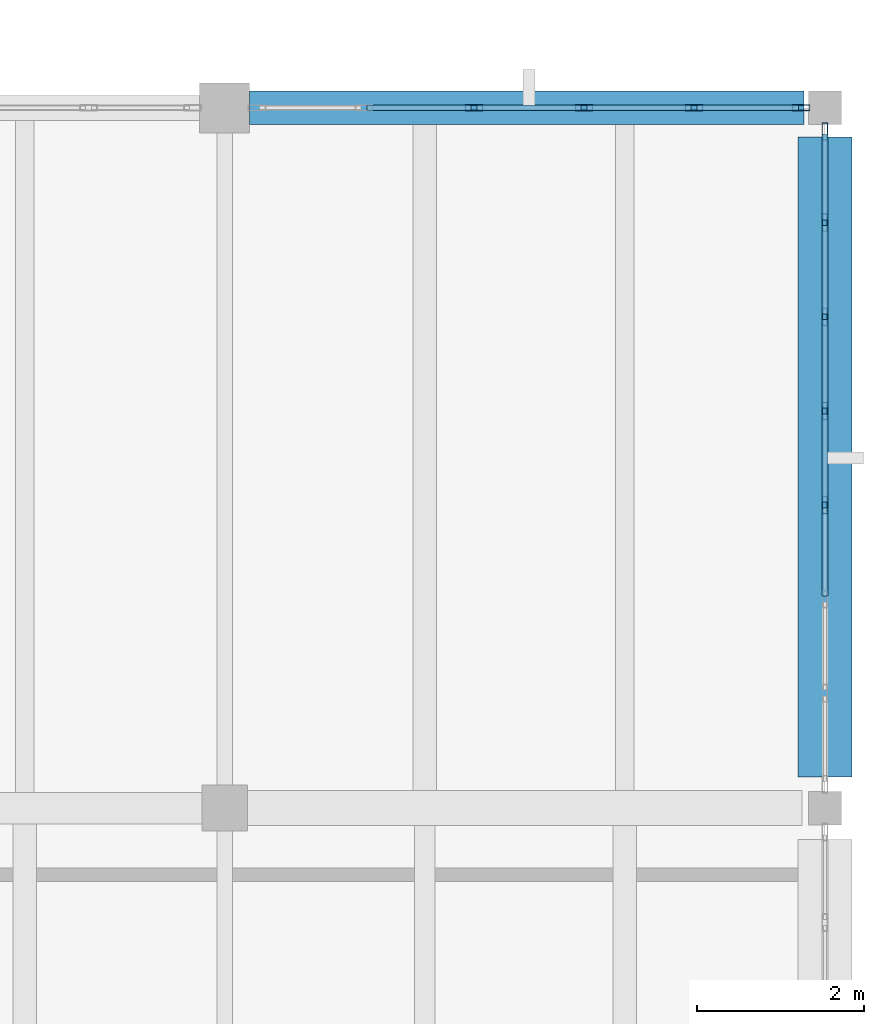
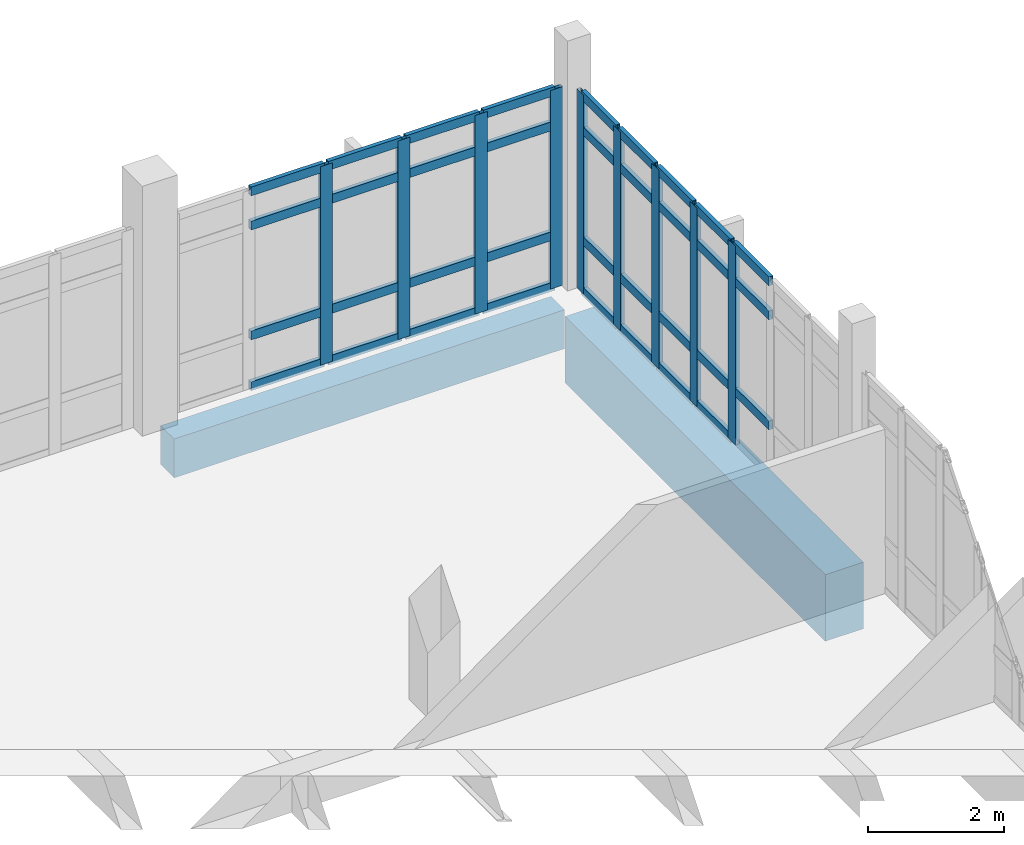
# One storey, part 39 of 57: 44 members, 2 beams, 2 elements without a shape of their own.
"""IFC4 building model written with IfcOpenShell, lengths in metres."""

from ifc_helpers import new_model, si_unit, direction, frame, origin, origin_2d, place, context, subcontext, project, spatial, rectangle, hollow_rectangle, extrude, material, material_profile, profile_set, type_object, element, aggregate, save


model = new_model("IFC4")

# Units and contexts
model_context = context("Model", 3, precision=1e-05, world=origin(), true_north=direction((0.0, 1.0)))
body_context = subcontext(model_context, "Body", "Model", "MODEL_VIEW")
ifc_project = project(units=[si_unit("LENGTHUNIT", "METRE"), si_unit("AREAUNIT", "SQUARE_METRE"), si_unit("VOLUMEUNIT", "CUBIC_METRE"), si_unit("PLANEANGLEUNIT", "RADIAN"), si_unit("MASSUNIT", "GRAM", prefix="KILO")], contexts=[model_context])

# Site, building, storey
site_placement = place(None, origin())
site = spatial("IfcSite", under=ifc_project, at=site_placement, CompositionType="ELEMENT")
building_placement = place(site_placement, origin())
building = spatial("IfcBuilding", under=site, at=building_placement, Name="Kalluvel Institute of Natural Sciences", CompositionType="ELEMENT")
storey_placement = place(building_placement, frame((0.0, 0.0, 23.39990234375)))
storey = spatial("IfcBuildingStorey", under=building, at=storey_placement, Name="L05", CompositionType="ELEMENT", Elevation=23.39990234375)

# Beam
ifc_material_1 = material(Name="Concrete M50", Category="concrete")
ifc_material_profile_1 = material_profile(ifc_material_1, rectangle(XDim=0.64990234375, YDim=1.199951171875, at=origin_2d()), Name="RCB 650x1200")
ifc_profile_set_1 = profile_set([ifc_material_profile_1], Name="Concrete M50")
beam_type_1 = type_object("IfcBeamType", Name="BM-RC650x1200", PredefinedType="BEAM", material=ifc_profile_set_1)
beam_1_placement = place(storey_placement, frame((114.800048828125, 119.97509765625, -0.919921875), z_axis=(0.0, 1.0, 0.0), x_axis=(-1.0, 0.0, 0.0)))
element("IfcBeam", 1, at=beam_1_placement, inside=storey, type_object=beam_type_1, Name="L05 girder GIR-L05-NS-X1148-Y1196", PredefinedType="BEAM", context=body_context, shape_type="SweptSolid", body=[
    extrude(rectangle(XDim=0.64990234375, YDim=1.199951171875, at=origin_2d()), origin(), (0.0, 0.0, 1.0), 7.6748046875),
])

# Curtain wall, members
ifc_material_2 = material(Name="Aluminium AW-6063 T6", Category="aluminium")
curtain_wall_type = type_object("IfcCurtainWallType", Name="CW-WET-45", PredefinedType="USERDEFINED", material=ifc_material_2)
curtain_wall_1_placement = place(storey_placement, origin())
curtain_wall_1 = element("IfcCurtainWall", 2, at=curtain_wall_1_placement, inside=storey, type_object=curtain_wall_type, Name="L05 Gothic lancet curtain wall CWA-L05-X1080-Y1280", ObjectType="UNITISED LANCET FACADE", PredefinedType="USERDEFINED")
ifc_material_profile_2 = material_profile(ifc_material_2, hollow_rectangle(XDim=0.070068359375, YDim=0.2099609375, WallThickness=0.0048828125, at=origin_2d()), Name="CWM 70x210")
ifc_profile_set_2 = profile_set([ifc_material_profile_2], Name="Aluminium AW-6063 T6")
member_type_1 = type_object("IfcMemberType", Name="CWM-70x210", PredefinedType="MULLION", material=ifc_profile_set_2)
member_1_placement = place(storey_placement, frame((110.590087890625, 128.0, 0.0), z_axis=(0.0, 0.0, 1.0), x_axis=(0.0, 1.0, 0.0)))
member_1 = element("IfcMember", 3, at=member_1_placement, type_object=member_type_1, Name="CW-01 mullion 3", PredefinedType="MULLION", context=body_context, shape_type="SweptSolid", body=[
    extrude(hollow_rectangle(XDim=0.070068359375, YDim=0.2099609375, WallThickness=0.0048828125, at=origin_2d()), origin(), (0.0, 0.0, 1.0), 3.580078125),
])
member_2_placement = place(storey_placement, frame((111.909912109375, 128.0, 0.0), z_axis=(0.0, 0.0, 1.0), x_axis=(0.0, 1.0, 0.0)))
member_2 = element("IfcMember", 4, at=member_2_placement, type_object=member_type_1, Name="CW-01 mullion 4", PredefinedType="MULLION", context=body_context, shape_type="SweptSolid", body=[
    extrude(hollow_rectangle(XDim=0.070068359375, YDim=0.2099609375, WallThickness=0.0048828125, at=origin_2d()), origin(), (0.0, 0.0, 1.0), 3.580078125),
])
member_3_placement = place(storey_placement, frame((113.22998046875, 128.0, 0.0), z_axis=(0.0, 0.0, 1.0), x_axis=(0.0, 1.0, 0.0)))
member_3 = element("IfcMember", 5, at=member_3_placement, type_object=member_type_1, Name="CW-01 mullion 5", PredefinedType="MULLION", context=body_context, shape_type="SweptSolid", body=[
    extrude(hollow_rectangle(XDim=0.070068359375, YDim=0.2099609375, WallThickness=0.0048828125, at=origin_2d()), origin(), (0.0, 0.0, 1.0), 3.580078125),
])
member_4_placement = place(storey_placement, frame((114.514892578125, 128.0, 0.0), z_axis=(0.0, 0.0, 1.0), x_axis=(0.0, 1.0, 0.0)))
member_4 = element("IfcMember", 6, at=member_4_placement, type_object=member_type_1, Name="CW-01 mullion 6", PredefinedType="MULLION", context=body_context, shape_type="SweptSolid", body=[
    extrude(hollow_rectangle(XDim=0.070068359375, YDim=0.2099609375, WallThickness=0.0048828125, at=origin_2d()), origin(), (0.0, 0.0, 1.0), 3.580078125),
])

curtain_wall_2_placement = place(storey_placement, origin())
curtain_wall_2 = element("IfcCurtainWall", 7, at=curtain_wall_2_placement, inside=storey, type_object=curtain_wall_type, Name="L05 Gothic lancet curtain wall CWA-L05-X1148-Y1198", ObjectType="UNITISED LANCET FACADE", PredefinedType="USERDEFINED")
member_5_placement = place(storey_placement, frame((114.800048828125, 123.235595703125, 0.0), z_axis=(0.0, 0.0, 1.0), x_axis=(-1.0, 0.0, 0.0)))
member_5 = element("IfcMember", 8, at=member_5_placement, type_object=member_type_1, Name="CW-01 mullion 4", PredefinedType="MULLION", context=body_context, shape_type="SweptSolid", body=[
    extrude(hollow_rectangle(XDim=0.070068359375, YDim=0.2099609375, WallThickness=0.0048828125, at=origin_2d()), origin(), (0.0, 0.0, 1.0), 3.580078125),
])
member_6_placement = place(storey_placement, frame((114.800048828125, 124.3642578125, 0.0), z_axis=(0.0, 0.0, 1.0), x_axis=(-1.0, 0.0, 0.0)))
member_6 = element("IfcMember", 9, at=member_6_placement, type_object=member_type_1, Name="CW-01 mullion 5", PredefinedType="MULLION", context=body_context, shape_type="SweptSolid", body=[
    extrude(hollow_rectangle(XDim=0.070068359375, YDim=0.2099609375, WallThickness=0.0048828125, at=origin_2d()), origin(), (0.0, 0.0, 1.0), 3.580078125),
])
member_7_placement = place(storey_placement, frame((114.800048828125, 125.492919921875, 0.0), z_axis=(0.0, 0.0, 1.0), x_axis=(-1.0, 0.0, 0.0)))
member_7 = element("IfcMember", 10, at=member_7_placement, type_object=member_type_1, Name="CW-01 mullion 6", PredefinedType="MULLION", context=body_context, shape_type="SweptSolid", body=[
    extrude(hollow_rectangle(XDim=0.070068359375, YDim=0.2099609375, WallThickness=0.0048828125, at=origin_2d()), origin(), (0.0, 0.0, 1.0), 3.580078125),
])
member_8_placement = place(storey_placement, frame((114.800048828125, 126.621337890625, 0.0), z_axis=(0.0, 0.0, 1.0), x_axis=(-1.0, 0.0, 0.0)))
member_8 = element("IfcMember", 11, at=member_8_placement, type_object=member_type_1, Name="CW-01 mullion 7", PredefinedType="MULLION", context=body_context, shape_type="SweptSolid", body=[
    extrude(hollow_rectangle(XDim=0.070068359375, YDim=0.2099609375, WallThickness=0.0048828125, at=origin_2d()), origin(), (0.0, 0.0, 1.0), 3.580078125),
])
member_9_placement = place(storey_placement, frame((114.800048828125, 127.715087890625, 0.0), z_axis=(0.0, 0.0, 1.0), x_axis=(-1.0, 0.0, 0.0)))
member_9 = element("IfcMember", 12, at=member_9_placement, type_object=member_type_1, Name="CW-01 mullion 8", PredefinedType="MULLION", context=body_context, shape_type="SweptSolid", body=[
    extrude(hollow_rectangle(XDim=0.070068359375, YDim=0.2099609375, WallThickness=0.0048828125, at=origin_2d()), origin(), (0.0, 0.0, 1.0), 3.580078125),
])

# Member
ifc_material_profile_3 = material_profile(ifc_material_2, hollow_rectangle(XDim=0.070068359375, YDim=0.159912109375, WallThickness=0.0048828125, at=origin_2d()), Name="CWT 70x160")
ifc_profile_set_3 = profile_set([ifc_material_profile_3], Name="Aluminium AW-6063 T6")
member_type_2 = type_object("IfcMemberType", Name="CWT-70x160", PredefinedType="USERDEFINED", material=ifc_profile_set_3)
member_10_placement = place(storey_placement, frame((109.304931640625, 128.0, 0.03515625), z_axis=(1.0, 0.0, 0.0), x_axis=(0.0, 1.0, 0.0)))
member_10 = element("IfcMember", 13, at=member_10_placement, type_object=member_type_2, Name="CW-01 transom 2.1", ObjectType="TRANSOM", PredefinedType="USERDEFINED", context=body_context, shape_type="SweptSolid", body=[
    extrude(hollow_rectangle(XDim=0.070068359375, YDim=0.159912109375, WallThickness=0.0048828125, at=origin_2d()), origin(), (0.0, 0.0, 1.0), 1.25),
])

member_11_placement = place(storey_placement, frame((109.304931640625, 128.0, 0.9501953125), z_axis=(1.0, 0.0, 0.0), x_axis=(0.0, 1.0, 0.0)))
member_11 = element("IfcMember", 14, at=member_11_placement, type_object=member_type_2, Name="CW-01 transom 2.2", ObjectType="TRANSOM", PredefinedType="USERDEFINED", context=body_context, shape_type="SweptSolid", body=[
    extrude(hollow_rectangle(XDim=0.070068359375, YDim=0.159912109375, WallThickness=0.0048828125, at=origin_2d()), origin(), (0.0, 0.0, 1.0), 1.25),
])

member_12_placement = place(storey_placement, frame((109.304931640625, 128.0, 2.93017578125), z_axis=(1.0, 0.0, 0.0), x_axis=(0.0, 1.0, 0.0)))
member_12 = element("IfcMember", 15, at=member_12_placement, type_object=member_type_2, Name="CW-01 transom 2.3", ObjectType="TRANSOM", PredefinedType="USERDEFINED", context=body_context, shape_type="SweptSolid", body=[
    extrude(hollow_rectangle(XDim=0.070068359375, YDim=0.159912109375, WallThickness=0.0048828125, at=origin_2d()), origin(), (0.0, 0.0, 1.0), 1.25),
])

member_13_placement = place(storey_placement, frame((109.304931640625, 128.0, 3.545166015625), z_axis=(1.0, 0.0, 0.0), x_axis=(0.0, 1.0, 0.0)))
member_13 = element("IfcMember", 16, at=member_13_placement, type_object=member_type_2, Name="CW-01 transom 2.4", ObjectType="TRANSOM", PredefinedType="USERDEFINED", context=body_context, shape_type="SweptSolid", body=[
    extrude(hollow_rectangle(XDim=0.070068359375, YDim=0.159912109375, WallThickness=0.0048828125, at=origin_2d()), origin(), (0.0, 0.0, 1.0), 1.25),
])

member_14_placement = place(storey_placement, frame((110.625, 128.0, 0.03515625), z_axis=(1.0, 0.0, 0.0), x_axis=(0.0, 1.0, 0.0)))
member_14 = element("IfcMember", 17, at=member_14_placement, type_object=member_type_2, Name="CW-01 transom 3.1", ObjectType="TRANSOM", PredefinedType="USERDEFINED", context=body_context, shape_type="SweptSolid", body=[
    extrude(hollow_rectangle(XDim=0.070068359375, YDim=0.159912109375, WallThickness=0.0048828125, at=origin_2d()), origin(), (0.0, 0.0, 1.0), 1.25),
])

member_15_placement = place(storey_placement, frame((110.625, 128.0, 0.9501953125), z_axis=(1.0, 0.0, 0.0), x_axis=(0.0, 1.0, 0.0)))
member_15 = element("IfcMember", 18, at=member_15_placement, type_object=member_type_2, Name="CW-01 transom 3.2", ObjectType="TRANSOM", PredefinedType="USERDEFINED", context=body_context, shape_type="SweptSolid", body=[
    extrude(hollow_rectangle(XDim=0.070068359375, YDim=0.159912109375, WallThickness=0.0048828125, at=origin_2d()), origin(), (0.0, 0.0, 1.0), 1.25),
])

member_16_placement = place(storey_placement, frame((110.625, 128.0, 2.93017578125), z_axis=(1.0, 0.0, 0.0), x_axis=(0.0, 1.0, 0.0)))
member_16 = element("IfcMember", 19, at=member_16_placement, type_object=member_type_2, Name="CW-01 transom 3.3", ObjectType="TRANSOM", PredefinedType="USERDEFINED", context=body_context, shape_type="SweptSolid", body=[
    extrude(hollow_rectangle(XDim=0.070068359375, YDim=0.159912109375, WallThickness=0.0048828125, at=origin_2d()), origin(), (0.0, 0.0, 1.0), 1.25),
])

member_17_placement = place(storey_placement, frame((110.625, 128.0, 3.545166015625), z_axis=(1.0, 0.0, 0.0), x_axis=(0.0, 1.0, 0.0)))
member_17 = element("IfcMember", 20, at=member_17_placement, type_object=member_type_2, Name="CW-01 transom 3.4", ObjectType="TRANSOM", PredefinedType="USERDEFINED", context=body_context, shape_type="SweptSolid", body=[
    extrude(hollow_rectangle(XDim=0.070068359375, YDim=0.159912109375, WallThickness=0.0048828125, at=origin_2d()), origin(), (0.0, 0.0, 1.0), 1.25),
])

member_18_placement = place(storey_placement, frame((111.945068359375, 128.0, 0.03515625), z_axis=(1.0, 0.0, 0.0), x_axis=(0.0, 1.0, 0.0)))
member_18 = element("IfcMember", 21, at=member_18_placement, type_object=member_type_2, Name="CW-01 transom 4.1", ObjectType="TRANSOM", PredefinedType="USERDEFINED", context=body_context, shape_type="SweptSolid", body=[
    extrude(hollow_rectangle(XDim=0.070068359375, YDim=0.159912109375, WallThickness=0.0048828125, at=origin_2d()), origin(), (0.0, 0.0, 1.0), 1.25),
])

member_19_placement = place(storey_placement, frame((111.945068359375, 128.0, 0.9501953125), z_axis=(1.0, 0.0, 0.0), x_axis=(0.0, 1.0, 0.0)))
member_19 = element("IfcMember", 22, at=member_19_placement, type_object=member_type_2, Name="CW-01 transom 4.2", ObjectType="TRANSOM", PredefinedType="USERDEFINED", context=body_context, shape_type="SweptSolid", body=[
    extrude(hollow_rectangle(XDim=0.070068359375, YDim=0.159912109375, WallThickness=0.0048828125, at=origin_2d()), origin(), (0.0, 0.0, 1.0), 1.25),
])

member_20_placement = place(storey_placement, frame((111.945068359375, 128.0, 2.93017578125), z_axis=(1.0, 0.0, 0.0), x_axis=(0.0, 1.0, 0.0)))
member_20 = element("IfcMember", 23, at=member_20_placement, type_object=member_type_2, Name="CW-01 transom 4.3", ObjectType="TRANSOM", PredefinedType="USERDEFINED", context=body_context, shape_type="SweptSolid", body=[
    extrude(hollow_rectangle(XDim=0.070068359375, YDim=0.159912109375, WallThickness=0.0048828125, at=origin_2d()), origin(), (0.0, 0.0, 1.0), 1.25),
])

member_21_placement = place(storey_placement, frame((111.945068359375, 128.0, 3.545166015625), z_axis=(1.0, 0.0, 0.0), x_axis=(0.0, 1.0, 0.0)))
member_21 = element("IfcMember", 24, at=member_21_placement, type_object=member_type_2, Name="CW-01 transom 4.4", ObjectType="TRANSOM", PredefinedType="USERDEFINED", context=body_context, shape_type="SweptSolid", body=[
    extrude(hollow_rectangle(XDim=0.070068359375, YDim=0.159912109375, WallThickness=0.0048828125, at=origin_2d()), origin(), (0.0, 0.0, 1.0), 1.25),
])

member_22_placement = place(storey_placement, frame((113.264892578125, 128.0, 0.03515625), z_axis=(1.0, 0.0, 0.0), x_axis=(0.0, 1.0, 0.0)))
member_22 = element("IfcMember", 25, at=member_22_placement, type_object=member_type_2, Name="CW-01 transom 5.1", ObjectType="TRANSOM", PredefinedType="USERDEFINED", context=body_context, shape_type="SweptSolid", body=[
    extrude(hollow_rectangle(XDim=0.070068359375, YDim=0.159912109375, WallThickness=0.0048828125, at=origin_2d()), origin(), (0.0, 0.0, 1.0), 1.215087890625),
])

member_23_placement = place(storey_placement, frame((113.264892578125, 128.0, 0.9501953125), z_axis=(1.0, 0.0, 0.0), x_axis=(0.0, 1.0, 0.0)))
member_23 = element("IfcMember", 26, at=member_23_placement, type_object=member_type_2, Name="CW-01 transom 5.2", ObjectType="TRANSOM", PredefinedType="USERDEFINED", context=body_context, shape_type="SweptSolid", body=[
    extrude(hollow_rectangle(XDim=0.070068359375, YDim=0.159912109375, WallThickness=0.0048828125, at=origin_2d()), origin(), (0.0, 0.0, 1.0), 1.215087890625),
])

member_24_placement = place(storey_placement, frame((113.264892578125, 128.0, 2.93017578125), z_axis=(1.0, 0.0, 0.0), x_axis=(0.0, 1.0, 0.0)))
member_24 = element("IfcMember", 27, at=member_24_placement, type_object=member_type_2, Name="CW-01 transom 5.3", ObjectType="TRANSOM", PredefinedType="USERDEFINED", context=body_context, shape_type="SweptSolid", body=[
    extrude(hollow_rectangle(XDim=0.070068359375, YDim=0.159912109375, WallThickness=0.0048828125, at=origin_2d()), origin(), (0.0, 0.0, 1.0), 1.215087890625),
])

member_25_placement = place(storey_placement, frame((113.264892578125, 128.0, 3.545166015625), z_axis=(1.0, 0.0, 0.0), x_axis=(0.0, 1.0, 0.0)))
member_25 = element("IfcMember", 28, at=member_25_placement, type_object=member_type_2, Name="CW-01 transom 5.4", ObjectType="TRANSOM", PredefinedType="USERDEFINED", context=body_context, shape_type="SweptSolid", body=[
    extrude(hollow_rectangle(XDim=0.070068359375, YDim=0.159912109375, WallThickness=0.0048828125, at=origin_2d()), origin(), (0.0, 0.0, 1.0), 1.215087890625),
])

aggregate(curtain_wall_1, [member_1, member_2, member_3, member_4, member_10, member_11, member_12, member_13, member_14, member_15, member_16, member_17, member_18, member_19, member_20, member_21, member_22, member_23, member_24, member_25])

member_26_placement = place(storey_placement, frame((114.800048828125, 122.14208984375, 0.9501953125), z_axis=(0.0, 1.0, 0.0), x_axis=(-1.0, 0.0, 0.0)))
member_26 = element("IfcMember", 29, at=member_26_placement, type_object=member_type_2, Name="CW-01 transom 3.2", ObjectType="TRANSOM", PredefinedType="USERDEFINED", context=body_context, shape_type="SweptSolid", body=[
    extrude(hollow_rectangle(XDim=0.070068359375, YDim=0.159912109375, WallThickness=0.0048828125, at=origin_2d()), origin(), (0.0, 0.0, 1.0), 1.05859375),
])

member_27_placement = place(storey_placement, frame((114.800048828125, 122.14208984375, 2.93017578125), z_axis=(0.0, 1.0, 0.0), x_axis=(-1.0, 0.0, 0.0)))
member_27 = element("IfcMember", 30, at=member_27_placement, type_object=member_type_2, Name="CW-01 transom 3.3", ObjectType="TRANSOM", PredefinedType="USERDEFINED", context=body_context, shape_type="SweptSolid", body=[
    extrude(hollow_rectangle(XDim=0.070068359375, YDim=0.159912109375, WallThickness=0.0048828125, at=origin_2d()), origin(), (0.0, 0.0, 1.0), 1.05859375),
])

member_28_placement = place(storey_placement, frame((114.800048828125, 122.14208984375, 3.545166015625), z_axis=(0.0, 1.0, 0.0), x_axis=(-1.0, 0.0, 0.0)))
member_28 = element("IfcMember", 31, at=member_28_placement, type_object=member_type_2, Name="CW-01 transom 3.4", ObjectType="TRANSOM", PredefinedType="USERDEFINED", context=body_context, shape_type="SweptSolid", body=[
    extrude(hollow_rectangle(XDim=0.070068359375, YDim=0.159912109375, WallThickness=0.0048828125, at=origin_2d()), origin(), (0.0, 0.0, 1.0), 1.05859375),
])

member_29_placement = place(storey_placement, frame((114.800048828125, 123.270751953125, 0.03515625), z_axis=(0.0, 1.0, 0.0), x_axis=(-1.0, 0.0, 0.0)))
member_29 = element("IfcMember", 32, at=member_29_placement, type_object=member_type_2, Name="CW-01 transom 4.1", ObjectType="TRANSOM", PredefinedType="USERDEFINED", context=body_context, shape_type="SweptSolid", body=[
    extrude(hollow_rectangle(XDim=0.070068359375, YDim=0.159912109375, WallThickness=0.0048828125, at=origin_2d()), origin(), (0.0, 0.0, 1.0), 1.05859375),
])

member_30_placement = place(storey_placement, frame((114.800048828125, 123.270751953125, 0.9501953125), z_axis=(0.0, 1.0, 0.0), x_axis=(-1.0, 0.0, 0.0)))
member_30 = element("IfcMember", 33, at=member_30_placement, type_object=member_type_2, Name="CW-01 transom 4.2", ObjectType="TRANSOM", PredefinedType="USERDEFINED", context=body_context, shape_type="SweptSolid", body=[
    extrude(hollow_rectangle(XDim=0.070068359375, YDim=0.159912109375, WallThickness=0.0048828125, at=origin_2d()), origin(), (0.0, 0.0, 1.0), 1.05859375),
])

member_31_placement = place(storey_placement, frame((114.800048828125, 123.270751953125, 2.93017578125), z_axis=(0.0, 1.0, 0.0), x_axis=(-1.0, 0.0, 0.0)))
member_31 = element("IfcMember", 34, at=member_31_placement, type_object=member_type_2, Name="CW-01 transom 4.3", ObjectType="TRANSOM", PredefinedType="USERDEFINED", context=body_context, shape_type="SweptSolid", body=[
    extrude(hollow_rectangle(XDim=0.070068359375, YDim=0.159912109375, WallThickness=0.0048828125, at=origin_2d()), origin(), (0.0, 0.0, 1.0), 1.05859375),
])

member_32_placement = place(storey_placement, frame((114.800048828125, 123.270751953125, 3.545166015625), z_axis=(0.0, 1.0, 0.0), x_axis=(-1.0, 0.0, 0.0)))
member_32 = element("IfcMember", 35, at=member_32_placement, type_object=member_type_2, Name="CW-01 transom 4.4", ObjectType="TRANSOM", PredefinedType="USERDEFINED", context=body_context, shape_type="SweptSolid", body=[
    extrude(hollow_rectangle(XDim=0.070068359375, YDim=0.159912109375, WallThickness=0.0048828125, at=origin_2d()), origin(), (0.0, 0.0, 1.0), 1.05859375),
])

member_33_placement = place(storey_placement, frame((114.800048828125, 124.399169921875, 0.03515625), z_axis=(0.0, 1.0, 0.0), x_axis=(-1.0, 0.0, 0.0)))
member_33 = element("IfcMember", 36, at=member_33_placement, type_object=member_type_2, Name="CW-01 transom 5.1", ObjectType="TRANSOM", PredefinedType="USERDEFINED", context=body_context, shape_type="SweptSolid", body=[
    extrude(hollow_rectangle(XDim=0.070068359375, YDim=0.159912109375, WallThickness=0.0048828125, at=origin_2d()), origin(), (0.0, 0.0, 1.0), 1.05859375),
])

member_34_placement = place(storey_placement, frame((114.800048828125, 124.399169921875, 0.9501953125), z_axis=(0.0, 1.0, 0.0), x_axis=(-1.0, 0.0, 0.0)))
member_34 = element("IfcMember", 37, at=member_34_placement, type_object=member_type_2, Name="CW-01 transom 5.2", ObjectType="TRANSOM", PredefinedType="USERDEFINED", context=body_context, shape_type="SweptSolid", body=[
    extrude(hollow_rectangle(XDim=0.070068359375, YDim=0.159912109375, WallThickness=0.0048828125, at=origin_2d()), origin(), (0.0, 0.0, 1.0), 1.05859375),
])

member_35_placement = place(storey_placement, frame((114.800048828125, 124.399169921875, 2.93017578125), z_axis=(0.0, 1.0, 0.0), x_axis=(-1.0, 0.0, 0.0)))
member_35 = element("IfcMember", 38, at=member_35_placement, type_object=member_type_2, Name="CW-01 transom 5.3", ObjectType="TRANSOM", PredefinedType="USERDEFINED", context=body_context, shape_type="SweptSolid", body=[
    extrude(hollow_rectangle(XDim=0.070068359375, YDim=0.159912109375, WallThickness=0.0048828125, at=origin_2d()), origin(), (0.0, 0.0, 1.0), 1.05859375),
])

member_36_placement = place(storey_placement, frame((114.800048828125, 124.399169921875, 3.545166015625), z_axis=(0.0, 1.0, 0.0), x_axis=(-1.0, 0.0, 0.0)))
member_36 = element("IfcMember", 39, at=member_36_placement, type_object=member_type_2, Name="CW-01 transom 5.4", ObjectType="TRANSOM", PredefinedType="USERDEFINED", context=body_context, shape_type="SweptSolid", body=[
    extrude(hollow_rectangle(XDim=0.070068359375, YDim=0.159912109375, WallThickness=0.0048828125, at=origin_2d()), origin(), (0.0, 0.0, 1.0), 1.05859375),
])

member_37_placement = place(storey_placement, frame((114.800048828125, 125.52783203125, 0.03515625), z_axis=(0.0, 1.0, 0.0), x_axis=(-1.0, 0.0, 0.0)))
member_37 = element("IfcMember", 40, at=member_37_placement, type_object=member_type_2, Name="CW-01 transom 6.1", ObjectType="TRANSOM", PredefinedType="USERDEFINED", context=body_context, shape_type="SweptSolid", body=[
    extrude(hollow_rectangle(XDim=0.070068359375, YDim=0.159912109375, WallThickness=0.0048828125, at=origin_2d()), origin(), (0.0, 0.0, 1.0), 1.05859375),
])

member_38_placement = place(storey_placement, frame((114.800048828125, 125.52783203125, 0.9501953125), z_axis=(0.0, 1.0, 0.0), x_axis=(-1.0, 0.0, 0.0)))
member_38 = element("IfcMember", 41, at=member_38_placement, type_object=member_type_2, Name="CW-01 transom 6.2", ObjectType="TRANSOM", PredefinedType="USERDEFINED", context=body_context, shape_type="SweptSolid", body=[
    extrude(hollow_rectangle(XDim=0.070068359375, YDim=0.159912109375, WallThickness=0.0048828125, at=origin_2d()), origin(), (0.0, 0.0, 1.0), 1.05859375),
])

member_39_placement = place(storey_placement, frame((114.800048828125, 125.52783203125, 2.93017578125), z_axis=(0.0, 1.0, 0.0), x_axis=(-1.0, 0.0, 0.0)))
member_39 = element("IfcMember", 42, at=member_39_placement, type_object=member_type_2, Name="CW-01 transom 6.3", ObjectType="TRANSOM", PredefinedType="USERDEFINED", context=body_context, shape_type="SweptSolid", body=[
    extrude(hollow_rectangle(XDim=0.070068359375, YDim=0.159912109375, WallThickness=0.0048828125, at=origin_2d()), origin(), (0.0, 0.0, 1.0), 1.05859375),
])

member_40_placement = place(storey_placement, frame((114.800048828125, 125.52783203125, 3.545166015625), z_axis=(0.0, 1.0, 0.0), x_axis=(-1.0, 0.0, 0.0)))
member_40 = element("IfcMember", 43, at=member_40_placement, type_object=member_type_2, Name="CW-01 transom 6.4", ObjectType="TRANSOM", PredefinedType="USERDEFINED", context=body_context, shape_type="SweptSolid", body=[
    extrude(hollow_rectangle(XDim=0.070068359375, YDim=0.159912109375, WallThickness=0.0048828125, at=origin_2d()), origin(), (0.0, 0.0, 1.0), 1.05859375),
])

member_41_placement = place(storey_placement, frame((114.800048828125, 126.656494140625, 0.03515625), z_axis=(0.0, 1.0, 0.0), x_axis=(-1.0, 0.0, 0.0)))
member_41 = element("IfcMember", 44, at=member_41_placement, type_object=member_type_2, Name="CW-01 transom 7.1", ObjectType="TRANSOM", PredefinedType="USERDEFINED", context=body_context, shape_type="SweptSolid", body=[
    extrude(hollow_rectangle(XDim=0.070068359375, YDim=0.159912109375, WallThickness=0.0048828125, at=origin_2d()), origin(), (0.0, 0.0, 1.0), 1.0234375),
])

member_42_placement = place(storey_placement, frame((114.800048828125, 126.656494140625, 0.9501953125), z_axis=(0.0, 1.0, 0.0), x_axis=(-1.0, 0.0, 0.0)))
member_42 = element("IfcMember", 45, at=member_42_placement, type_object=member_type_2, Name="CW-01 transom 7.2", ObjectType="TRANSOM", PredefinedType="USERDEFINED", context=body_context, shape_type="SweptSolid", body=[
    extrude(hollow_rectangle(XDim=0.070068359375, YDim=0.159912109375, WallThickness=0.0048828125, at=origin_2d()), origin(), (0.0, 0.0, 1.0), 1.0234375),
])

member_43_placement = place(storey_placement, frame((114.800048828125, 126.656494140625, 2.93017578125), z_axis=(0.0, 1.0, 0.0), x_axis=(-1.0, 0.0, 0.0)))
member_43 = element("IfcMember", 46, at=member_43_placement, type_object=member_type_2, Name="CW-01 transom 7.3", ObjectType="TRANSOM", PredefinedType="USERDEFINED", context=body_context, shape_type="SweptSolid", body=[
    extrude(hollow_rectangle(XDim=0.070068359375, YDim=0.159912109375, WallThickness=0.0048828125, at=origin_2d()), origin(), (0.0, 0.0, 1.0), 1.0234375),
])

member_44_placement = place(storey_placement, frame((114.800048828125, 126.656494140625, 3.545166015625), z_axis=(0.0, 1.0, 0.0), x_axis=(-1.0, 0.0, 0.0)))
member_44 = element("IfcMember", 47, at=member_44_placement, type_object=member_type_2, Name="CW-01 transom 7.4", ObjectType="TRANSOM", PredefinedType="USERDEFINED", context=body_context, shape_type="SweptSolid", body=[
    extrude(hollow_rectangle(XDim=0.070068359375, YDim=0.159912109375, WallThickness=0.0048828125, at=origin_2d()), origin(), (0.0, 0.0, 1.0), 1.0234375),
])

aggregate(curtain_wall_2, [member_5, member_6, member_7, member_8, member_9, member_26, member_27, member_28, member_29, member_30, member_31, member_32, member_33, member_34, member_35, member_36, member_37, member_38, member_39, member_40, member_41, member_42, member_43, member_44])

# Beam
ifc_material_3 = material(Name="Concrete M40", Category="concrete")
ifc_material_profile_4 = material_profile(ifc_material_3, rectangle(XDim=0.39990234375, YDim=0.699951171875, at=origin_2d()), Name="RCB 400x700")
ifc_profile_set_4 = profile_set([ifc_material_profile_4], Name="Concrete M40")
beam_type_2 = type_object("IfcBeamType", Name="SP-RC400x700", PredefinedType="SPANDREL", material=ifc_profile_set_4)
beam_2_placement = place(storey_placement, frame((107.89990234375, 128.0, -0.669921875), z_axis=(1.0, 0.0, 0.0), x_axis=(0.0, 1.0, 0.0)))
element("IfcBeam", 48, at=beam_2_placement, inside=storey, type_object=beam_type_2, Name="L05 girder GIR-L05-EW-X1076-Y1280", PredefinedType="SPANDREL", context=body_context, shape_type="SweptSolid", body=[
    extrude(rectangle(XDim=0.39990234375, YDim=0.699951171875, at=origin_2d()), origin(), (0.0, 0.0, 1.0), 6.650146484375),
])

save(model, "model.ifc")
